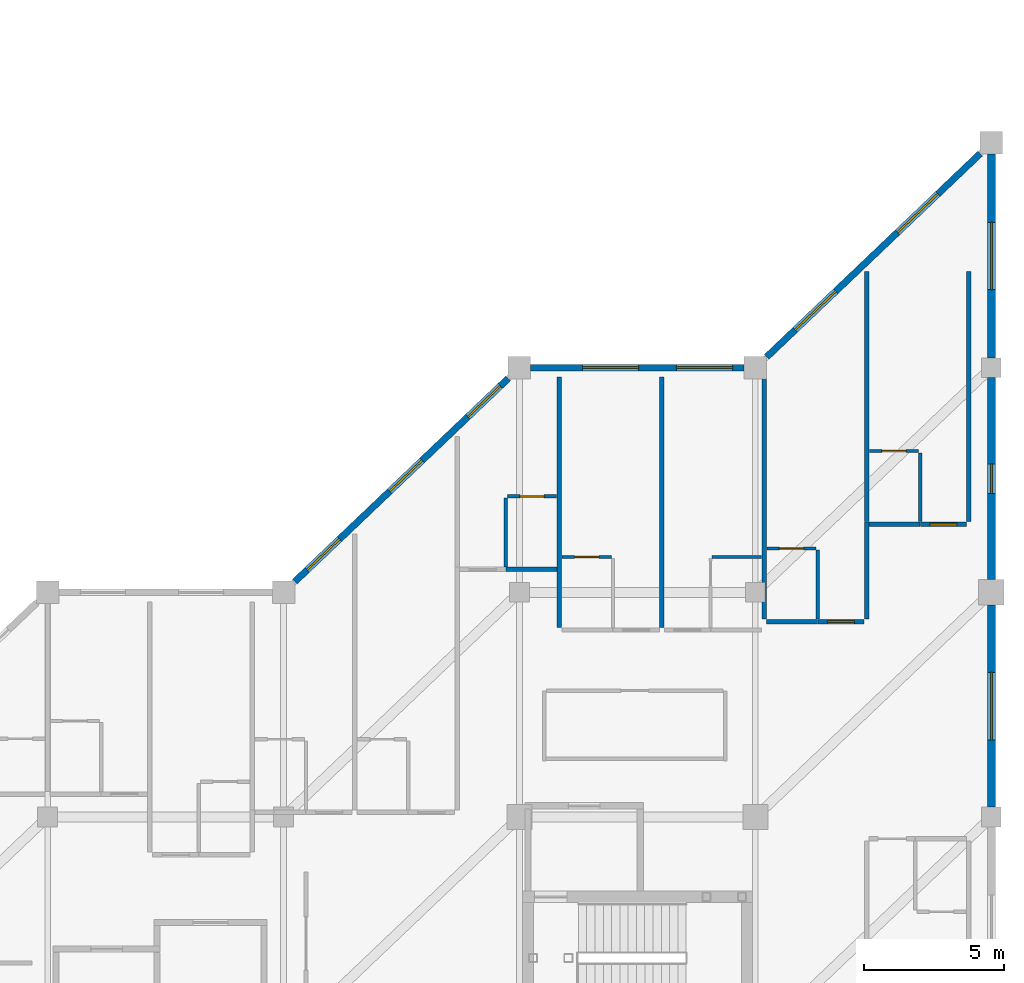
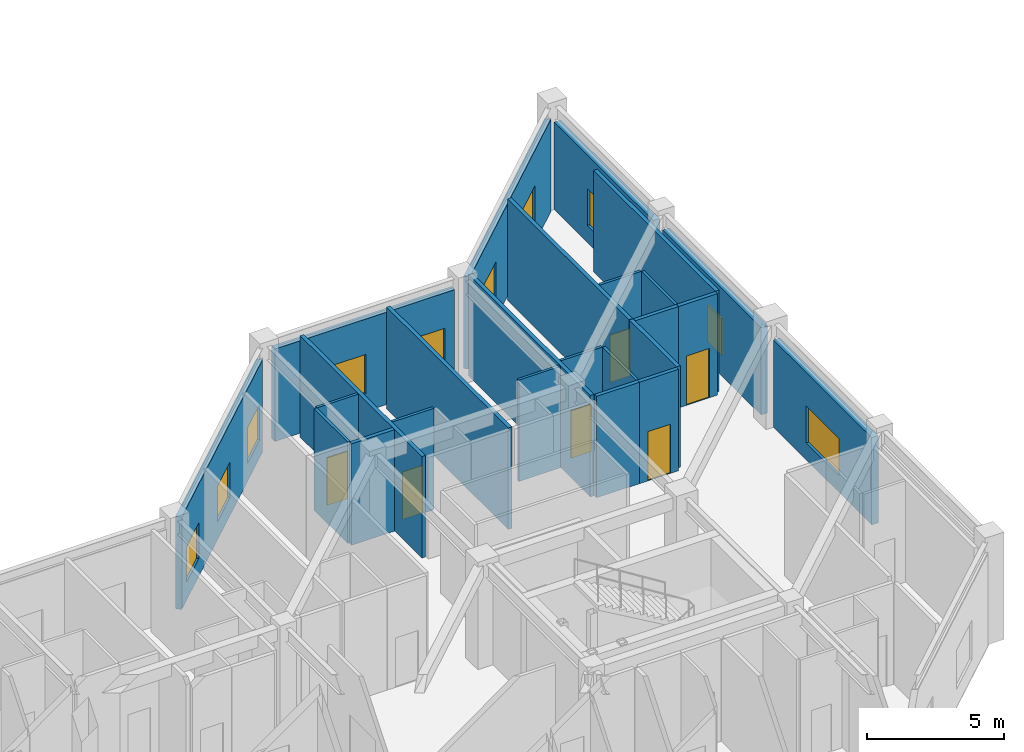
# One storey, part 65 of 76: 25 walls, 10 windows, 6 doors, 16 openings.
"""IFC4 building model written with IfcOpenShell, lengths in metres."""

import ifcopenshell
import ifcopenshell.guid

model = None  # the IFC model being written
_history = None  # IfcOwnerHistory: only IFC2X3 demands one
_inside = {}  # id of a spatial element -> (the spatial element, [elements in it])
_under = {}  # id of a project, library or spatial element -> (it, [spatial elements below it])
_declared = {}  # id of a project -> (the project, [libraries it declares])
_typed = {}  # id of a type object -> (the type object, [elements of that type])
_made_of = {}  # id of a material, layer set ... -> (it, [elements and type objects made of it])


def new_model(schema):
    """Start an empty IFC model of exactly this schema.

    Asked for "IFC4X3", IfcOpenShell would pick the latest addendum, in which some entities
    have other attributes; the version numbers below select the first issue.
    IFC2X3 requires an IfcOwnerHistory on every rooted entity: one is made here for all.
    """
    global model, _history
    if schema == "IFC4X3":
        model = ifcopenshell.file(schema_version=(4, 3, 0, 0))
    else:
        model = ifcopenshell.file(schema=schema)
    _inside.clear()
    _under.clear()
    _declared.clear()
    _typed.clear()
    _made_of.clear()
    _history = None
    if model.schema == "IFC2X3":
        org = make("IfcOrganization", Name="unknown")
        user = make(
            "IfcPersonAndOrganization",
            ThePerson=make("IfcPerson", FamilyName="unknown"),
            TheOrganization=org,
        )
        app = make(
            "IfcApplication",
            ApplicationDeveloper=org,
            Version="unknown",
            ApplicationFullName="unknown",
            ApplicationIdentifier="unknown",
        )
        _history = make(
            "IfcOwnerHistory",
            OwningUser=user,
            OwningApplication=app,
            ChangeAction="ADDED",
            CreationDate=0,
        )
    return model


def make(cls, **values):
    """One entity of the class cls with the attributes given. An attribute that is None is left unset."""
    return model.create_entity(
        cls, **{name: value for name, value in values.items() if value is not None}
    )


def rooted(cls, **values):
    """An entity with a GlobalId (a new one), such as an element, a storey or a relation."""
    return make(cls, GlobalId=ifcopenshell.guid.new(), OwnerHistory=_history, **values)


def si_unit(unit_type, name, prefix=None):
    """IfcSIUnit, for example si_unit("LENGTHUNIT", "METRE", prefix="MILLI")."""
    return make("IfcSIUnit", UnitType=unit_type, Prefix=prefix, Name=name)


def assignment(units):
    """IfcUnitAssignment: the units of a project."""
    return None if units is None else make("IfcUnitAssignment", Units=units)


def point(xyz):
    """IfcCartesianPoint."""
    return None if xyz is None else make("IfcCartesianPoint", Coordinates=xyz)


def direction(xyz):
    """IfcDirection."""
    return None if xyz is None else make("IfcDirection", DirectionRatios=xyz)


def frame(location, z_axis=None, x_axis=None):
    """IfcAxis2Placement3D, a coordinate frame: its origin and axes. An axis left out is left unset."""
    return make(
        "IfcAxis2Placement3D",
        Location=point(location),
        Axis=direction(z_axis),
        RefDirection=direction(x_axis),
    )


def frame_2d(location, x_axis=None):
    """IfcAxis2Placement2D, a coordinate frame in the plane: its origin and x axis."""
    return make(
        "IfcAxis2Placement2D", Location=point(location), RefDirection=direction(x_axis)
    )


def origin():
    """The frame at (0, 0, 0) with its axes left unset."""
    return frame((0.0, 0.0, 0.0))


def place(relative_to, where):
    """IfcLocalPlacement: puts the frame where relative to a parent placement (None: the world)."""
    return make(
        "IfcLocalPlacement", PlacementRelTo=relative_to, RelativePlacement=where
    )


def context(
    kind, dimensions, precision=None, world=None, true_north=None, identifier=None
):
    """IfcGeometricRepresentationContext, for example the 3D "Model" context."""
    return make(
        "IfcGeometricRepresentationContext",
        ContextIdentifier=identifier,
        ContextType=kind,
        CoordinateSpaceDimension=dimensions,
        Precision=precision,
        WorldCoordinateSystem=world,
        TrueNorth=true_north,
    )


def subcontext(parent, identifier, kind, view, scale=None):
    """IfcGeometricRepresentationSubContext, for example "Body" below "Model"."""
    return make(
        "IfcGeometricRepresentationSubContext",
        ContextIdentifier=identifier,
        ContextType=kind,
        ParentContext=parent,
        TargetScale=scale,
        TargetView=view,
    )


def project(units=None, contexts=None):
    """IfcProject with its units and contexts."""
    return rooted(
        "IfcProject",
        Name="project",
        RepresentationContexts=contexts,
        UnitsInContext=assignment(units),
    )


def spatial(cls, under=None, at=None, **own):
    """A site, building, storey or space (cls), placed at a placement, below another one or the project."""
    s = rooted(cls, ObjectPlacement=at, **own)
    if under is not None:
        _under.setdefault(under.id(), (under, []))[1].append(s)
    return s


def profile(cls, at=None, kind="AREA", **sizes):
    """A parametric profile (cls). Its sizes go by their IFC names, for example OverallWidth=200.0."""
    return make(cls, ProfileType=kind, Position=at, **sizes)


def rectangle(**sizes):
    """IfcRectangleProfileDef."""
    return profile("IfcRectangleProfileDef", **sizes)


def extrude(swept, where, along, depth):
    """IfcExtrudedAreaSolid: the profile swept, set in the frame where, extruded along a direction by depth."""
    return make(
        "IfcExtrudedAreaSolid",
        SweptArea=swept,
        Position=where,
        ExtrudedDirection=direction(along),
        Depth=depth,
    )


def shape(context_of_items, identifier, shape_type, items):
    """IfcShapeRepresentation: the items that make up one representation, for example the "Body"."""
    return make(
        "IfcShapeRepresentation",
        ContextOfItems=context_of_items,
        RepresentationIdentifier=identifier,
        RepresentationType=shape_type,
        Items=items,
    )


def material(Name=None, Category=None):
    """IfcMaterial."""
    return make("IfcMaterial", Name=Name, Category=Category)


def layer(
    of_material, thickness, ventilated=None, Name=None, Category=None, Priority=None
):
    """IfcMaterialLayer: one layer of a wall or slab, of a material (None: an air gap)."""
    return make(
        "IfcMaterialLayer",
        Material=of_material,
        LayerThickness=thickness,
        IsVentilated=ventilated,
        Name=Name,
        Category=Category,
        Priority=Priority,
    )


def layer_set(layers, Name=None):
    """IfcMaterialLayerSet."""
    return make("IfcMaterialLayerSet", MaterialLayers=layers, LayerSetName=Name)


def made_of(thing, what):
    """Note that an element or type object is made of a material, layer set ...; save() writes the relation."""
    if what is not None:
        _made_of.setdefault(what.id(), (what, []))[1].append(thing)
    return thing


def type_object(cls, material=None, **own):
    """A type object (cls), such as IfcWallType, which elements share."""
    return made_of(rooted(cls, **own), material)


def element(
    cls,
    number,
    at=None,
    inside=None,
    cuts=None,
    type_object=None,
    material=None,
    context=None,
    identifier="Body",
    shape_type=None,
    held_by="IfcProductDefinitionShape",
    body=None,
    shapes=None,
    **own,
):
    """One element of the class cls, such as IfcWall. Its Tag is "e" and its number.

    at: its placement. inside: the storey or other place that contains it. cuts: it is an
    opening in that element (IfcRelVoidsElement). A single representation is given by context,
    identifier, shape_type and body (its items); several are given by shapes. held_by: the class
    of the entity that holds the representations. save() writes the other relations.
    """
    e = rooted(cls, Tag="e%d" % number, ObjectPlacement=at, **own)
    if body is not None:
        shapes = [shape(context, identifier, shape_type, body)]
    if shapes is not None:
        e.Representation = make(held_by, Representations=shapes)
    if inside is not None:
        _inside.setdefault(inside.id(), (inside, []))[1].append(e)
    if cuts is not None:
        rooted(
            "IfcRelVoidsElement", RelatingBuildingElement=cuts, RelatedOpeningElement=e
        )
    if type_object is not None:
        _typed.setdefault(type_object.id(), (type_object, []))[1].append(e)
    return made_of(e, material)


def fill(opening, filler):
    """IfcRelFillsElement: the door or window that sits in an opening."""
    return rooted(
        "IfcRelFillsElement",
        RelatingOpeningElement=opening,
        RelatedBuildingElement=filler,
    )


def aggregate(whole, parts):
    """IfcRelAggregates: a whole, such as a stair, and the parts it consists of."""
    return rooted("IfcRelAggregates", RelatingObject=whole, RelatedObjects=parts)


def save(model, path):
    """Write the relations noted so far, then the file.

    IfcRelAggregates (storeys below a building ...), IfcRelContainedInSpatialStructure (elements
    in a storey), IfcRelDefinesByType, IfcRelAssociatesMaterial and IfcRelDeclares: one each for
    every whole, place, type object, material and project.
    """
    for whole, parts in _under.values():
        aggregate(whole, parts)
    for where, things in _inside.values():
        rooted(
            "IfcRelContainedInSpatialStructure",
            RelatedElements=things,
            RelatingStructure=where,
        )
    for kind, things in _typed.values():
        rooted("IfcRelDefinesByType", RelatedObjects=things, RelatingType=kind)
    for what, things in _made_of.values():
        rooted("IfcRelAssociatesMaterial", RelatedObjects=things, RelatingMaterial=what)
    for by, libraries in _declared.values():
        rooted("IfcRelDeclares", RelatingContext=by, RelatedDefinitions=libraries)
    model.write(path)


model = new_model("IFC4")

# Units and contexts
model_context = context("Model", 3, precision=1e-05, world=origin(), true_north=direction((0.0, 1.0)))
body_context = subcontext(model_context, "Body", "Model", "MODEL_VIEW")
ifc_project = project(units=[si_unit("LENGTHUNIT", "METRE"), si_unit("AREAUNIT", "SQUARE_METRE"), si_unit("VOLUMEUNIT", "CUBIC_METRE"), si_unit("PLANEANGLEUNIT", "RADIAN"), si_unit("MASSUNIT", "GRAM", prefix="KILO")], contexts=[model_context])

# Site, building, storey
site_placement = place(None, origin())
site = spatial("IfcSite", under=ifc_project, at=site_placement, CompositionType="ELEMENT")
building_placement = place(site_placement, origin())
building = spatial("IfcBuilding", under=site, at=building_placement, Name="Naruveol Harbour Congress Hotel", CompositionType="ELEMENT")
storey_placement = place(building_placement, frame((0.0, 0.0, 11.39990234375)))
storey = spatial("IfcBuildingStorey", under=building, at=storey_placement, Name="L02", CompositionType="ELEMENT", Elevation=11.39990234375)

# Wall, opening, window
ifc_material_1 = material(Name="Precast concrete C40/50", Category="concrete")
ifc_layer_1 = layer(ifc_material_1, 0.280029296875)
ifc_layer_set_1 = layer_set([ifc_layer_1], Name="Precast concrete C40/50")
wall_type_1 = type_object("IfcWallType", Name="ARCHITECTURAL PRECAST FACADE WALL 280", PredefinedType="SOLIDWALL", material=ifc_layer_set_1)
wall_1_placement = place(storey_placement, frame((184.800048828125, 55.60009765625, 0.0), z_axis=(0.0, 0.0, 1.0), x_axis=(0.0, -1.0, 0.0)))
wall_1 = element("IfcWall", 1, at=wall_1_placement, inside=storey, type_object=wall_type_1, Name="Hotel east gable wall L02 EW-280", PredefinedType="SOLIDWALL", context=body_context, shape_type="SweptSolid", body=[
    extrude(rectangle(XDim=7.25, YDim=0.280029296875, at=frame_2d((3.625, 0.0))), origin(), (0.0, 0.0, 1.0), 3.900146484375),
])
opening_1_placement = place(wall_1_placement, frame((2.425048828125, 0.0, 0.75)))
opening_1 = element("IfcOpeningElement", 2, at=opening_1_placement, cuts=wall_1, Name="Opening W-07", PredefinedType="OPENING", context=body_context, shape_type="SweptSolid", body=[
    extrude(rectangle(XDim=2.39990234375, YDim=1.64990234375, at=frame_2d((1.199951171875, 0.824951171875))), frame((0.0, 0.14990234375, 0.0), z_axis=(0.0, -1.0, 0.0), x_axis=(1.0, 0.0, 0.0)), (0.0, 0.0, 1.0), 0.300048828125),
])
ifc_material_2 = material(Name="Low-E Triple Glazing in Thermal Aluminium", Category="aluminium")
window_type_1 = type_object("IfcWindowType", Name="CORNER SUITE WINDOW 2400X1650", PartitioningType="DOUBLE_PANEL_VERTICAL", PredefinedType="WINDOW", material=ifc_material_2)
window_1_placement = place(opening_1_placement, origin())
window_1 = element("IfcWindow", 3, at=window_1_placement, inside=storey, type_object=window_type_1, Name="Window W-07 #220", OverallHeight=1.64990234375, OverallWidth=2.39990234375, PartitioningType="DOUBLE_PANEL_VERTICAL", PredefinedType="WINDOW", context=body_context, shape_type="SweptSolid", body=[
    extrude(rectangle(XDim=2.39990234375, YDim=1.64990234375, at=frame_2d((1.199951171875, 0.824951171875))), frame((0.0, 0.030029296875, 0.0), z_axis=(0.0, -1.0, 0.0), x_axis=(1.0, 0.0, 0.0)), (0.0, 0.0, 1.0), 0.06005859375),
])
fill(opening_1, window_1)

wall_2_placement = place(storey_placement, frame((184.800048828125, 47.64990234375, 0.0), z_axis=(0.0, 0.0, 1.0), x_axis=(0.0, -1.0, 0.0)))
wall_2 = element("IfcWall", 4, at=wall_2_placement, inside=storey, type_object=wall_type_1, Name="Hotel east gable wall L02 EW-280", PredefinedType="SOLIDWALL", context=body_context, shape_type="SweptSolid", body=[
    extrude(rectangle(XDim=7.199951171875, YDim=0.280029296875, at=frame_2d((3.60009765625, 0.0))), origin(), (0.0, 0.0, 1.0), 3.900146484375),
])
opening_2_placement = place(wall_2_placement, frame((3.074951171875, 0.0, 0.75)))
opening_2 = element("IfcOpeningElement", 5, at=opening_2_placement, cuts=wall_2, Name="Opening W-26", PredefinedType="OPENING", context=body_context, shape_type="SweptSolid", body=[
    extrude(rectangle(XDim=1.050048828125, YDim=1.64990234375, at=frame_2d((0.52490234375, 0.824951171875))), frame((0.0, 0.14990234375, 0.0), z_axis=(0.0, -1.0, 0.0), x_axis=(1.0, 0.0, 0.0)), (0.0, 0.0, 1.0), 0.300048828125),
])
ifc_material_3 = material(Name="Low-E Triple Glazing in Thermal Aluminium", Category="aluminium")
window_type_2 = type_object("IfcWindowType", Name="CORRIDOR END VIEW WINDOW 1050X1650", PartitioningType="SINGLE_PANEL", PredefinedType="WINDOW", material=ifc_material_3)
window_2_placement = place(opening_2_placement, origin())
window_2 = element("IfcWindow", 6, at=window_2_placement, inside=storey, type_object=window_type_2, Name="Window W-26 #221", OverallHeight=1.64990234375, OverallWidth=1.050048828125, PartitioningType="SINGLE_PANEL", PredefinedType="WINDOW", context=body_context, shape_type="SweptSolid", body=[
    extrude(rectangle(XDim=1.050048828125, YDim=1.64990234375, at=frame_2d((0.52490234375, 0.824951171875))), frame((0.0, 0.030029296875, 0.0), z_axis=(0.0, -1.0, 0.0), x_axis=(1.0, 0.0, 0.0)), (0.0, 0.0, 1.0), 0.06005859375),
])
fill(opening_2, window_2)

wall_3_placement = place(storey_placement, frame((184.800048828125, 39.550048828125, 0.0), z_axis=(0.0, 0.0, 1.0), x_axis=(0.0, -1.0, 0.0)))
wall_3 = element("IfcWall", 7, at=wall_3_placement, inside=storey, type_object=wall_type_1, Name="Hotel east gable wall L02 EW-280", PredefinedType="SOLIDWALL", context=body_context, shape_type="SweptSolid", body=[
    extrude(rectangle(XDim=7.199951171875, YDim=0.280029296875, at=frame_2d((3.60009765625, 0.0))), origin(), (0.0, 0.0, 1.0), 3.900146484375),
])
opening_3_placement = place(wall_3_placement, frame((2.39990234375, 0.0, 0.75)))
opening_3 = element("IfcOpeningElement", 8, at=opening_3_placement, cuts=wall_3, Name="Opening W-07", PredefinedType="OPENING", context=body_context, shape_type="SweptSolid", body=[
    extrude(rectangle(XDim=2.39990234375, YDim=1.64990234375, at=frame_2d((1.199951171875, 0.824951171875))), frame((0.0, 0.14990234375, 0.0), z_axis=(0.0, -1.0, 0.0), x_axis=(1.0, 0.0, 0.0)), (0.0, 0.0, 1.0), 0.300048828125),
])
window_3_placement = place(opening_3_placement, origin())
window_3 = element("IfcWindow", 9, at=window_3_placement, inside=storey, type_object=window_type_1, Name="Window W-07 #222", OverallHeight=1.64990234375, OverallWidth=2.39990234375, PartitioningType="DOUBLE_PANEL_VERTICAL", PredefinedType="WINDOW", context=body_context, shape_type="SweptSolid", body=[
    extrude(rectangle(XDim=2.39990234375, YDim=1.64990234375, at=frame_2d((1.199951171875, 0.824951171875))), frame((0.0, 0.030029296875, 0.0), z_axis=(0.0, -1.0, 0.0), x_axis=(1.0, 0.0, 0.0)), (0.0, 0.0, 1.0), 0.06005859375),
])
fill(opening_3, window_3)

# Wall
ifc_material_4 = material(Name="Moisture-Resistant Gypsum Partition", Category="gypsum")
ifc_layer_2 = layer(ifc_material_4, 0.114990234375)
ifc_layer_set_2 = layer_set([ifc_layer_2], Name="Moisture-Resistant Gypsum Partition")
wall_type_2 = type_object("IfcWallType", Name="BATHROOM MOISTURE PARTITION WALL 115", PredefinedType="PARTITIONING", material=ifc_layer_set_2)
wall_4_placement = place(storey_placement, frame((167.510009765625, 40.909912109375, 0.0), z_axis=(0.0, 0.0, 1.0), x_axis=(0.0, 1.0, 0.0)))
element("IfcWall", 10, at=wall_4_placement, inside=storey, type_object=wall_type_2, Name="Bathroom west wall 0332 PW-115", PredefinedType="PARTITIONING", context=body_context, shape_type="SweptSolid", body=[
    extrude(rectangle(XDim=2.4501953125, YDim=0.114990234375, at=frame_2d((1.22509765625, 0.0))), origin(), (0.0, 0.0, 1.0), 4.53515625),
])

# Wall, opening, door
wall_5_placement = place(storey_placement, frame((167.570068359375, 43.419921875, 0.0), z_axis=(0.0, 0.0, 1.0), x_axis=(1.0, 0.0, 0.0)))
wall_5 = element("IfcWall", 11, at=wall_5_placement, inside=storey, type_object=wall_type_2, Name="Bathroom north wall 0332 PW-115", PredefinedType="PARTITIONING", context=body_context, shape_type="SweptSolid", body=[
    extrude(rectangle(XDim=1.75, YDim=0.114990234375, at=frame_2d((0.875, 0.0))), origin(), (0.0, 0.0, 1.0), 4.53515625),
])
opening_4_placement = place(wall_5_placement, frame((0.445068359375, 0.0, 0.0)))
opening_4 = element("IfcOpeningElement", 12, at=opening_4_placement, cuts=wall_5, Name="Opening BD-RM0332", PredefinedType="OPENING", context=body_context, shape_type="SweptSolid", body=[
    extrude(rectangle(XDim=0.860107421875, YDim=2.1201171875, at=frame_2d((0.43017578125, 1.06005859375))), frame((0.0, 0.0673828125, 0.0), z_axis=(0.0, -1.0, 0.0), x_axis=(1.0, 0.0, 0.0)), (0.0, 0.0, 1.0), 0.135009765625),
])
ifc_material_5 = material(Name="Timber & Steel Acoustic Leaf", Category="steel")
door_type_1 = type_object("IfcDoorType", Name="GUEST BATHROOM DOOR 860X2120", OperationType="NOTDEFINED", PredefinedType="DOOR", material=ifc_material_5)
door_1_placement = place(opening_4_placement, origin())
door_1 = element("IfcDoor", 13, at=door_1_placement, inside=storey, type_object=door_type_1, Name="Bathroom Door 0332", OperationType="SINGLE_SWING_RIGHT", OverallHeight=2.1201171875, OverallWidth=0.860107421875, PredefinedType="DOOR", context=body_context, shape_type="SweptSolid", body=[
    extrude(rectangle(XDim=0.860107421875, YDim=2.1201171875, at=frame_2d((0.43017578125, 1.06005859375))), frame((0.0, 0.02490234375, 0.0), z_axis=(0.0, -1.0, 0.0), x_axis=(1.0, 0.0, 0.0)), (0.0, 0.0, 1.0), 0.050048828125),
])
fill(opening_4, door_1)

wall_6_placement = place(storey_placement, frame((169.52001953125, 41.260009765625, 0.0), z_axis=(0.0, 0.0, 1.0), x_axis=(1.0, 0.0, 0.0)))
wall_6 = element("IfcWall", 14, at=wall_6_placement, inside=storey, type_object=wall_type_2, Name="Bathroom north wall 0333 PW-115", PredefinedType="PARTITIONING", context=body_context, shape_type="SweptSolid", body=[
    extrude(rectangle(XDim=1.75, YDim=0.114990234375, at=frame_2d((0.875, 0.0))), origin(), (0.0, 0.0, 1.0), 4.53515625),
])
opening_5_placement = place(wall_6_placement, frame((0.445068359375, 0.0, 0.0)))
opening_5 = element("IfcOpeningElement", 15, at=opening_5_placement, cuts=wall_6, Name="Opening BD-RM0333", PredefinedType="OPENING", context=body_context, shape_type="SweptSolid", body=[
    extrude(rectangle(XDim=0.860107421875, YDim=2.1201171875, at=frame_2d((0.43017578125, 1.06005859375))), frame((0.0, 0.0673828125, 0.0), z_axis=(0.0, -1.0, 0.0), x_axis=(1.0, 0.0, 0.0)), (0.0, 0.0, 1.0), 0.135009765625),
])
door_2_placement = place(opening_5_placement, origin())
door_2 = element("IfcDoor", 16, at=door_2_placement, inside=storey, type_object=door_type_1, Name="Bathroom Door 0333", OperationType="SINGLE_SWING_RIGHT", OverallHeight=2.1201171875, OverallWidth=0.860107421875, PredefinedType="DOOR", context=body_context, shape_type="SweptSolid", body=[
    extrude(rectangle(XDim=0.860107421875, YDim=2.1201171875, at=frame_2d((0.43017578125, 1.06005859375))), frame((0.0, 0.02490234375, 0.0), z_axis=(0.0, -1.0, 0.0), x_axis=(1.0, 0.0, 0.0)), (0.0, 0.0, 1.0), 0.050048828125),
])
fill(opening_5, door_2)

# Walls
wall_7_placement = place(storey_placement, frame((174.860107421875, 41.260009765625, 0.0), z_axis=(0.0, 0.0, 1.0), x_axis=(1.0, 0.0, 0.0)))
element("IfcWall", 17, at=wall_7_placement, inside=storey, type_object=wall_type_2, Name="Bathroom north wall 0334 PW-115", PredefinedType="PARTITIONING", context=body_context, shape_type="SweptSolid", body=[
    extrude(rectangle(XDim=1.75, YDim=0.114990234375, at=frame_2d((0.875, 0.0))), origin(), (0.0, 0.0, 1.0), 4.53515625),
])
wall_8_placement = place(storey_placement, frame((178.6201171875, 39.050048828125, 0.0), z_axis=(0.0, 0.0, 1.0), x_axis=(0.0, 1.0, 0.0)))
element("IfcWall", 18, at=wall_8_placement, inside=storey, type_object=wall_type_2, Name="Bathroom east wall 0335 PW-115", PredefinedType="PARTITIONING", context=body_context, shape_type="SweptSolid", body=[
    extrude(rectangle(XDim=2.449951171875, YDim=0.114990234375, at=frame_2d((1.22509765625, 0.0))), origin(), (0.0, 0.0, 1.0), 4.53515625),
])

# Wall, opening, door
wall_9_placement = place(storey_placement, frame((176.81005859375, 41.56005859375, 0.0), z_axis=(0.0, 0.0, 1.0), x_axis=(1.0, 0.0, 0.0)))
wall_9 = element("IfcWall", 19, at=wall_9_placement, inside=storey, type_object=wall_type_2, Name="Bathroom north wall 0335 PW-115", PredefinedType="PARTITIONING", context=body_context, shape_type="SweptSolid", body=[
    extrude(rectangle(XDim=1.75, YDim=0.114990234375, at=frame_2d((0.875, 0.0))), origin(), (0.0, 0.0, 1.0), 4.53515625),
])
opening_6_placement = place(wall_9_placement, frame((0.445068359375, 0.0, 0.0)))
opening_6 = element("IfcOpeningElement", 20, at=opening_6_placement, cuts=wall_9, Name="Opening BD-RM0335", PredefinedType="OPENING", context=body_context, shape_type="SweptSolid", body=[
    extrude(rectangle(XDim=0.860107421875, YDim=2.1201171875, at=frame_2d((0.43017578125, 1.06005859375))), frame((0.0, 0.0673828125, 0.0), z_axis=(0.0, -1.0, 0.0), x_axis=(1.0, 0.0, 0.0)), (0.0, 0.0, 1.0), 0.135009765625),
])
door_3_placement = place(opening_6_placement, origin())
door_3 = element("IfcDoor", 21, at=door_3_placement, inside=storey, type_object=door_type_1, Name="Bathroom Door 0335", OperationType="SINGLE_SWING_RIGHT", OverallHeight=2.1201171875, OverallWidth=0.860107421875, PredefinedType="DOOR", context=body_context, shape_type="SweptSolid", body=[
    extrude(rectangle(XDim=0.860107421875, YDim=2.1201171875, at=frame_2d((0.43017578125, 1.06005859375))), frame((0.0, 0.02490234375, 0.0), z_axis=(0.0, -1.0, 0.0), x_axis=(1.0, 0.0, 0.0)), (0.0, 0.0, 1.0), 0.050048828125),
])
fill(opening_6, door_3)

# Wall
wall_10_placement = place(storey_placement, frame((182.27001953125, 42.52001953125, 0.0), z_axis=(0.0, 0.0, 1.0), x_axis=(0.0, 1.0, 0.0)))
element("IfcWall", 22, at=wall_10_placement, inside=storey, type_object=wall_type_2, Name="Bathroom east wall 0336 PW-115", PredefinedType="PARTITIONING", context=body_context, shape_type="SweptSolid", body=[
    extrude(rectangle(XDim=2.449951171875, YDim=0.114990234375, at=frame_2d((1.22509765625, 0.0))), origin(), (0.0, 0.0, 1.0), 4.53515625),
])

# Wall, opening, door
wall_11_placement = place(storey_placement, frame((180.4599609375, 45.030029296875, 0.0), z_axis=(0.0, 0.0, 1.0), x_axis=(1.0, 0.0, 0.0)))
wall_11 = element("IfcWall", 23, at=wall_11_placement, inside=storey, type_object=wall_type_2, Name="Bathroom north wall 0336 PW-115", PredefinedType="PARTITIONING", context=body_context, shape_type="SweptSolid", body=[
    extrude(rectangle(XDim=1.75, YDim=0.114990234375, at=frame_2d((0.875, 0.0))), origin(), (0.0, 0.0, 1.0), 4.53515625),
])
opening_7_placement = place(wall_11_placement, frame((0.445068359375, 0.0, 0.0)))
opening_7 = element("IfcOpeningElement", 24, at=opening_7_placement, cuts=wall_11, Name="Opening BD-RM0336", PredefinedType="OPENING", context=body_context, shape_type="SweptSolid", body=[
    extrude(rectangle(XDim=0.860107421875, YDim=2.1201171875, at=frame_2d((0.43017578125, 1.06005859375))), frame((0.0, 0.0673828125, 0.0), z_axis=(0.0, -1.0, 0.0), x_axis=(1.0, 0.0, 0.0)), (0.0, 0.0, 1.0), 0.135009765625),
])
door_4_placement = place(opening_7_placement, origin())
door_4 = element("IfcDoor", 25, at=door_4_placement, inside=storey, type_object=door_type_1, Name="Bathroom Door 0336", OperationType="SINGLE_SWING_RIGHT", OverallHeight=2.1201171875, OverallWidth=0.860107421875, PredefinedType="DOOR", context=body_context, shape_type="SweptSolid", body=[
    extrude(rectangle(XDim=0.860107421875, YDim=2.1201171875, at=frame_2d((0.43017578125, 1.06005859375))), frame((0.0, 0.02490234375, 0.0), z_axis=(0.0, -1.0, 0.0), x_axis=(1.0, 0.0, 0.0)), (0.0, 0.0, 1.0), 0.050048828125),
])
fill(opening_7, door_4)

# Walls
ifc_material_6 = material(Name="Autoclaved Aerated Concrete Block", Category="concrete")
ifc_layer_3 = layer(ifc_material_6, 0.159912109375)
ifc_layer_set_3 = layer_set([ifc_layer_3], Name="Autoclaved Aerated Concrete Block")
wall_type_3 = type_object("IfcWallType", Name="HOTEL PARTY AND CORRIDOR WALL 160 EI60", PredefinedType="PARTITIONING", material=ifc_layer_set_3)
wall_12_placement = place(storey_placement, frame((167.52001953125, 40.820068359375, 0.0), z_axis=(0.0, 0.0, 1.0), x_axis=(1.0, 0.0, 0.0)))
element("IfcWall", 26, at=wall_12_placement, inside=storey, type_object=wall_type_3, Name="Corridor wall 0332B PW-160", PredefinedType="PARTITIONING", context=body_context, shape_type="SweptSolid", body=[
    extrude(rectangle(XDim=1.81005859375, YDim=0.159912109375, at=frame_2d((0.905029296875, 0.0))), origin(), (0.0, 0.0, 1.0), 4.53515625),
])
for number, where, z_axis, x_axis, name in (
    (27, (169.419921875, 38.75, 0.0), (0.0, 0.0, 1.0), (0.0, 1.0, 0.0), "Hotel party wall 0333 PW-160"),
    (28, (173.070068359375, 38.75, 0.0), (0.0, 0.0, 1.0), (0.0, 1.0, 0.0), "Hotel party wall 0334 PW-160"),
):
    element("IfcWall", number, at=place(storey_placement, frame(where, z_axis=z_axis, x_axis=x_axis)), inside=storey, type_object=wall_type_3, Name=name, PredefinedType="PARTITIONING", context=body_context, shape_type="SweptSolid", body=[
        extrude(rectangle(XDim=8.909912109375, YDim=0.159912109375, at=frame_2d((4.455078125, 0.0))), origin(), (0.0, 0.0, 1.0), 4.53515625),
    ])
wall_13_placement = place(storey_placement, frame((176.800048828125, 38.9599609375, 0.0), z_axis=(0.0, 0.0, 1.0), x_axis=(1.0, 0.0, 0.0)))
element("IfcWall", 29, at=wall_13_placement, inside=storey, type_object=wall_type_3, Name="Corridor wall 0335B PW-160", PredefinedType="PARTITIONING", context=body_context, shape_type="SweptSolid", body=[
    extrude(rectangle(XDim=1.81005859375, YDim=0.159912109375, at=frame_2d((0.905029296875, 0.0))), origin(), (0.0, 0.0, 1.0), 4.53515625),
])

# Wall, opening, door
wall_14_placement = place(storey_placement, frame((178.6201171875, 38.9599609375, 0.0), z_axis=(0.0, 0.0, 1.0), x_axis=(1.0, 0.0, 0.0)))
wall_14 = element("IfcWall", 30, at=wall_14_placement, inside=storey, type_object=wall_type_3, Name="Corridor entry wall 0335 PW-160", PredefinedType="PARTITIONING", context=body_context, shape_type="SweptSolid", body=[
    extrude(rectangle(XDim=1.64990234375, YDim=0.159912109375, at=frame_2d((0.824951171875, 0.0))), origin(), (0.0, 0.0, 1.0), 4.53515625),
])
opening_8_placement = place(wall_14_placement, frame((0.344970703125, 0.0, 0.0)))
opening_8 = element("IfcOpeningElement", 31, at=opening_8_placement, cuts=wall_14, Name="Opening FD-RM0335", PredefinedType="OPENING", context=body_context, shape_type="SweptSolid", body=[
    extrude(rectangle(XDim=0.9599609375, YDim=2.199951171875, at=frame_2d((0.47998046875, 1.10009765625))), frame((0.0, 0.08984375, 0.0), z_axis=(0.0, -1.0, 0.0), x_axis=(1.0, 0.0, 0.0)), (0.0, 0.0, 1.0), 0.179931640625),
])
ifc_material_7 = material(Name="Timber & Steel Acoustic Leaf", Category="steel")
door_type_2 = type_object("IfcDoorType", Name="GUEST ROOM ENTRANCE FIRE DOOR 960X2200", OperationType="NOTDEFINED", PredefinedType="DOOR", material=ifc_material_7)
door_5_placement = place(opening_8_placement, origin())
door_5 = element("IfcDoor", 32, at=door_5_placement, inside=storey, type_object=door_type_2, Name="Hotel Room Door 0335", OperationType="SINGLE_SWING_LEFT", OverallHeight=2.199951171875, OverallWidth=0.9599609375, PredefinedType="DOOR", context=body_context, shape_type="SweptSolid", body=[
    extrude(rectangle(XDim=0.9599609375, YDim=2.199951171875, at=frame_2d((0.47998046875, 1.10009765625))), frame((0.0, 0.02490234375, 0.0), z_axis=(0.0, -1.0, 0.0), x_axis=(1.0, 0.0, 0.0)), (0.0, 0.0, 1.0), 0.050048828125),
])
fill(opening_8, door_5)

# Walls
wall_15_placement = place(storey_placement, frame((176.7099609375, 39.050048828125, 0.0), z_axis=(0.0, 0.0, 1.0), x_axis=(0.0, 1.0, 0.0)))
element("IfcWall", 33, at=wall_15_placement, inside=storey, type_object=wall_type_3, Name="Hotel party wall 0335 PW-160", PredefinedType="PARTITIONING", context=body_context, shape_type="SweptSolid", body=[
    extrude(rectangle(XDim=8.909912109375, YDim=0.159912109375, at=frame_2d((4.455078125, 0.0))), origin(), (0.0, 0.0, 1.0), 4.53515625),
])
wall_16_placement = place(storey_placement, frame((180.360107421875, 39.050048828125, 0.0), z_axis=(0.0, 0.0, 1.0), x_axis=(0.0, 1.0, 0.0)))
element("IfcWall", 34, at=wall_16_placement, inside=storey, type_object=wall_type_3, Name="Hotel end party wall 0335 PW-160", PredefinedType="PARTITIONING", context=body_context, shape_type="SweptSolid", body=[
    extrude(rectangle(XDim=3.4599609375, YDim=0.159912109375, at=frame_2d((1.72998046875, 0.0))), origin(), (0.0, 0.0, 1.0), 4.53515625),
])
wall_17_placement = place(storey_placement, frame((180.449951171875, 42.429931640625, 0.0), z_axis=(0.0, 0.0, 1.0), x_axis=(1.0, 0.0, 0.0)))
element("IfcWall", 35, at=wall_17_placement, inside=storey, type_object=wall_type_3, Name="Corridor wall 0336B PW-160", PredefinedType="PARTITIONING", context=body_context, shape_type="SweptSolid", body=[
    extrude(rectangle(XDim=1.81005859375, YDim=0.159912109375, at=frame_2d((0.905029296875, 0.0))), origin(), (0.0, 0.0, 1.0), 4.53515625),
])

# Wall, opening, door
wall_18_placement = place(storey_placement, frame((182.27001953125, 42.429931640625, 0.0), z_axis=(0.0, 0.0, 1.0), x_axis=(1.0, 0.0, 0.0)))
wall_18 = element("IfcWall", 36, at=wall_18_placement, inside=storey, type_object=wall_type_3, Name="Corridor entry wall 0336 PW-160", PredefinedType="PARTITIONING", context=body_context, shape_type="SweptSolid", body=[
    extrude(rectangle(XDim=1.639892578125, YDim=0.159912109375, at=frame_2d((0.81982421875, 0.0))), origin(), (0.0, 0.0, 1.0), 4.53515625),
])
opening_9_placement = place(wall_18_placement, frame((0.340087890625, 0.0, 0.0)))
opening_9 = element("IfcOpeningElement", 37, at=opening_9_placement, cuts=wall_18, Name="Opening FD-RM0336", PredefinedType="OPENING", context=body_context, shape_type="SweptSolid", body=[
    extrude(rectangle(XDim=0.9599609375, YDim=2.199951171875, at=frame_2d((0.47998046875, 1.10009765625))), frame((0.0, 0.08984375, 0.0), z_axis=(0.0, -1.0, 0.0), x_axis=(1.0, 0.0, 0.0)), (0.0, 0.0, 1.0), 0.179931640625),
])
door_6_placement = place(opening_9_placement, origin())
door_6 = element("IfcDoor", 38, at=door_6_placement, inside=storey, type_object=door_type_2, Name="Hotel Room Door 0336", OperationType="SINGLE_SWING_LEFT", OverallHeight=2.199951171875, OverallWidth=0.9599609375, PredefinedType="DOOR", context=body_context, shape_type="SweptSolid", body=[
    extrude(rectangle(XDim=0.9599609375, YDim=2.199951171875, at=frame_2d((0.47998046875, 1.10009765625))), frame((0.0, 0.02490234375, 0.0), z_axis=(0.0, -1.0, 0.0), x_axis=(1.0, 0.0, 0.0)), (0.0, 0.0, 1.0), 0.050048828125),
])
fill(opening_9, door_6)

# Walls
for number, where, z_axis, x_axis, name in (
    (39, (180.360107421875, 42.52001953125, 0.0), (0.0, 0.0, 1.0), (0.0, 1.0, 0.0), "Hotel party wall 0336 PW-160"),
    (40, (184.0, 42.52001953125, 0.0), (0.0, 0.0, 1.0), (0.0, 1.0, 0.0), "Hotel end party wall 0336 PW-160"),
):
    element("IfcWall", number, at=place(storey_placement, frame(where, z_axis=z_axis, x_axis=x_axis)), inside=storey, type_object=wall_type_3, Name=name, PredefinedType="PARTITIONING", context=body_context, shape_type="SweptSolid", body=[
        extrude(rectangle(XDim=8.909912109375, YDim=0.159912109375, at=frame_2d((4.455078125, 0.0))), origin(), (0.0, 0.0, 1.0), 4.53515625),
    ])

# Wall, openings, windows
ifc_material_8 = material(Name="Concrete C40/50", Category="concrete")
ifc_layer_4 = layer(ifc_material_8, 0.239990234375)
ifc_layer_set_4 = layer_set([ifc_layer_4], Name="Concrete C40/50")
wall_type_4 = type_object("IfcWallType", Name="INSULATED HOTEL SPANDREL WALL 240", PredefinedType="SOLIDWALL", material=ifc_layer_set_4)
wall_19_placement = place(storey_placement, frame((160.0, 40.381103515625, 0.0), z_axis=(0.0, 0.0, 1.0), x_axis=(0.724156739794, 0.689635422677, 0.0)))
wall_19 = element("IfcWall", 41, at=wall_19_placement, inside=storey, type_object=wall_type_4, Name="Hotel north bay wall L02 EW-240", PredefinedType="SOLIDWALL", context=body_context, shape_type="SweptSolid", body=[
    extrude(rectangle(XDim=10.4951171875, YDim=0.239990234375, at=frame_2d((5.24755859375, 0.0))), origin(), (0.0, 0.0, 1.0), 4.130126953125),
])
opening_10_placement = place(wall_19_placement, frame((0.60205078125, 0.0, 0.800048828125)))
opening_10 = element("IfcOpeningElement", 42, at=opening_10_placement, cuts=wall_19, Name="Opening W-03", PredefinedType="OPENING", context=body_context, shape_type="SweptSolid", body=[
    extrude(rectangle(XDim=1.60009765625, YDim=1.60009765625, at=frame_2d((0.800048828125, 0.800048828125))), frame((0.0, 0.1298828125, 0.0), z_axis=(0.0, -1.0, 0.0), x_axis=(1.0, 0.0, 0.0)), (0.0, 0.0, 1.0), 0.260009765625),
])
opening_11_placement = place(wall_19_placement, frame((4.662109375, 0.0, 0.800048828125)))
opening_11 = element("IfcOpeningElement", 43, at=opening_11_placement, cuts=wall_19, Name="Opening W-03", PredefinedType="OPENING", context=body_context, shape_type="SweptSolid", body=[
    extrude(rectangle(XDim=1.60009765625, YDim=1.60009765625, at=frame_2d((0.800048828125, 0.800048828125))), frame((0.0, 0.1298828125, 0.0), z_axis=(0.0, -1.0, 0.0), x_axis=(1.0, 0.0, 0.0)), (0.0, 0.0, 1.0), 0.260009765625),
])
opening_12_placement = place(wall_19_placement, frame((8.508056640625, 0.0, 0.800048828125)))
opening_12 = element("IfcOpeningElement", 44, at=opening_12_placement, cuts=wall_19, Name="Opening W-03", PredefinedType="OPENING", context=body_context, shape_type="SweptSolid", body=[
    extrude(rectangle(XDim=1.60009765625, YDim=1.60009765625, at=frame_2d((0.800048828125, 0.800048828125))), frame((0.0, 0.1298828125, 0.0), z_axis=(0.0, -1.0, 0.0), x_axis=(1.0, 0.0, 0.0)), (0.0, 0.0, 1.0), 0.260009765625),
])
ifc_material_9 = material(Name="Low-E Triple Glazing in Thermal Aluminium", Category="aluminium")
window_type_3 = type_object("IfcWindowType", Name="DELUXE GUEST WINDOW 1600X1600", PartitioningType="SINGLE_PANEL", PredefinedType="WINDOW", material=ifc_material_9)
window_4_placement = place(opening_10_placement, origin())
window_4 = element("IfcWindow", 45, at=window_4_placement, inside=storey, type_object=window_type_3, Name="Window W-03 #209", OverallHeight=1.60009765625, OverallWidth=1.60009765625, PartitioningType="SINGLE_PANEL", PredefinedType="WINDOW", context=body_context, shape_type="SweptSolid", body=[
    extrude(rectangle(XDim=1.60009765625, YDim=1.60009765625, at=frame_2d((0.800048828125, 0.800048828125))), frame((0.0, 0.030029296875, 0.0), z_axis=(0.0, -1.0, 0.0), x_axis=(1.0, 0.0, 0.0)), (0.0, 0.0, 1.0), 0.06005859375),
])
fill(opening_10, window_4)
window_5_placement = place(opening_11_placement, origin())
window_5 = element("IfcWindow", 46, at=window_5_placement, inside=storey, type_object=window_type_3, Name="Window W-03 #210", OverallHeight=1.60009765625, OverallWidth=1.60009765625, PartitioningType="SINGLE_PANEL", PredefinedType="WINDOW", context=body_context, shape_type="SweptSolid", body=[
    extrude(rectangle(XDim=1.60009765625, YDim=1.60009765625, at=frame_2d((0.800048828125, 0.800048828125))), frame((0.0, 0.030029296875, 0.0), z_axis=(0.0, -1.0, 0.0), x_axis=(1.0, 0.0, 0.0)), (0.0, 0.0, 1.0), 0.06005859375),
])
fill(opening_11, window_5)
window_6_placement = place(opening_12_placement, origin())
window_6 = element("IfcWindow", 47, at=window_6_placement, inside=storey, type_object=window_type_3, Name="Window W-03 #211", OverallHeight=1.60009765625, OverallWidth=1.60009765625, PartitioningType="SINGLE_PANEL", PredefinedType="WINDOW", context=body_context, shape_type="SweptSolid", body=[
    extrude(rectangle(XDim=1.60009765625, YDim=1.60009765625, at=frame_2d((0.800048828125, 0.800048828125))), frame((0.0, 0.030029296875, 0.0), z_axis=(0.0, -1.0, 0.0), x_axis=(1.0, 0.0, 0.0)), (0.0, 0.0, 1.0), 0.06005859375),
])
fill(opening_12, window_6)

wall_20_placement = place(storey_placement, frame((168.39990234375, 48.0, 0.0), z_axis=(0.0, 0.0, 1.0), x_axis=(1.0, 0.0, 0.0)))
wall_20 = element("IfcWall", 48, at=wall_20_placement, inside=storey, type_object=wall_type_4, Name="Hotel north bay wall L02 EW-240", PredefinedType="SOLIDWALL", context=body_context, shape_type="SweptSolid", body=[
    extrude(rectangle(XDim=7.60009765625, YDim=0.239990234375, at=frame_2d((3.800048828125, 0.0))), origin(), (0.0, 0.0, 1.0), 4.130126953125),
])
opening_13_placement = place(wall_20_placement, frame((1.844970703125, 0.0, 0.800048828125)))
opening_13 = element("IfcOpeningElement", 49, at=opening_13_placement, cuts=wall_20, Name="Opening W-05", PredefinedType="OPENING", context=body_context, shape_type="SweptSolid", body=[
    extrude(rectangle(XDim=2.0, YDim=1.75, at=frame_2d((1.0, 0.875))), frame((0.0, 0.1298828125, 0.0), z_axis=(0.0, -1.0, 0.0), x_axis=(1.0, 0.0, 0.0)), (0.0, 0.0, 1.0), 0.260009765625),
])
opening_14_placement = place(wall_20_placement, frame((5.18505859375, 0.0, 0.800048828125)))
opening_14 = element("IfcOpeningElement", 50, at=opening_14_placement, cuts=wall_20, Name="Opening W-05", PredefinedType="OPENING", context=body_context, shape_type="SweptSolid", body=[
    extrude(rectangle(XDim=2.0, YDim=1.75, at=frame_2d((1.0, 0.875))), frame((0.0, 0.1298828125, 0.0), z_axis=(0.0, -1.0, 0.0), x_axis=(1.0, 0.0, 0.0)), (0.0, 0.0, 1.0), 0.260009765625),
])
ifc_material_10 = material(Name="Low-E Triple Glazing in Thermal Aluminium", Category="aluminium")
window_type_4 = type_object("IfcWindowType", Name="GARDEN SUITE WINDOW 2000X1750", PartitioningType="DOUBLE_PANEL_VERTICAL", PredefinedType="WINDOW", material=ifc_material_10)
window_7_placement = place(opening_13_placement, origin())
window_7 = element("IfcWindow", 51, at=window_7_placement, inside=storey, type_object=window_type_4, Name="Window W-05 #214", OverallHeight=1.75, OverallWidth=2.0, PartitioningType="DOUBLE_PANEL_VERTICAL", PredefinedType="WINDOW", context=body_context, shape_type="SweptSolid", body=[
    extrude(rectangle(XDim=2.0, YDim=1.75, at=frame_2d((1.0, 0.875))), frame((0.0, 0.030029296875, 0.0), z_axis=(0.0, -1.0, 0.0), x_axis=(1.0, 0.0, 0.0)), (0.0, 0.0, 1.0), 0.06005859375),
])
fill(opening_13, window_7)
window_8_placement = place(opening_14_placement, origin())
window_8 = element("IfcWindow", 52, at=window_8_placement, inside=storey, type_object=window_type_4, Name="Window W-05 #215", OverallHeight=1.75, OverallWidth=2.0, PartitioningType="DOUBLE_PANEL_VERTICAL", PredefinedType="WINDOW", context=body_context, shape_type="SweptSolid", body=[
    extrude(rectangle(XDim=2.0, YDim=1.75, at=frame_2d((1.0, 0.875))), frame((0.0, 0.030029296875, 0.0), z_axis=(0.0, -1.0, 0.0), x_axis=(1.0, 0.0, 0.0)), (0.0, 0.0, 1.0), 0.06005859375),
])
fill(opening_14, window_8)

wall_21_placement = place(storey_placement, frame((176.800048828125, 48.381103515625, 0.0), z_axis=(0.0, 0.0, 1.0), x_axis=(0.724145676014, 0.689647040094, 0.0)))
wall_21 = element("IfcWall", 53, at=wall_21_placement, inside=storey, type_object=wall_type_4, Name="Hotel north bay wall L02 EW-240", PredefinedType="SOLIDWALL", context=body_context, shape_type="SweptSolid", body=[
    extrude(rectangle(XDim=10.494873046875, YDim=0.239990234375, at=frame_2d((5.24755859375, 0.0))), origin(), (0.0, 0.0, 1.0), 4.130126953125),
])
opening_15_placement = place(wall_21_placement, frame((1.39599609375, 0.0, 0.800048828125)))
opening_15 = element("IfcOpeningElement", 54, at=opening_15_placement, cuts=wall_21, Name="Opening W-05", PredefinedType="OPENING", context=body_context, shape_type="SweptSolid", body=[
    extrude(rectangle(XDim=2.0, YDim=1.75, at=frame_2d((1.0, 0.875))), frame((0.0, 0.1298828125, 0.0), z_axis=(0.0, -1.0, 0.0), x_axis=(1.0, 0.0, 0.0)), (0.0, 0.0, 1.0), 0.260009765625),
])
opening_16_placement = place(wall_21_placement, frame((6.428955078125, 0.0, 0.800048828125)))
opening_16 = element("IfcOpeningElement", 55, at=opening_16_placement, cuts=wall_21, Name="Opening W-05", PredefinedType="OPENING", context=body_context, shape_type="SweptSolid", body=[
    extrude(rectangle(XDim=2.0, YDim=1.75, at=frame_2d((1.0, 0.875))), frame((0.0, 0.1298828125, 0.0), z_axis=(0.0, -1.0, 0.0), x_axis=(1.0, 0.0, 0.0)), (0.0, 0.0, 1.0), 0.260009765625),
])
window_9_placement = place(opening_15_placement, origin())
window_9 = element("IfcWindow", 56, at=window_9_placement, inside=storey, type_object=window_type_4, Name="Window W-05 #218", OverallHeight=1.75, OverallWidth=2.0, PartitioningType="DOUBLE_PANEL_VERTICAL", PredefinedType="WINDOW", context=body_context, shape_type="SweptSolid", body=[
    extrude(rectangle(XDim=2.0, YDim=1.75, at=frame_2d((1.0, 0.875))), frame((0.0, 0.030029296875, 0.0), z_axis=(0.0, -1.0, 0.0), x_axis=(1.0, 0.0, 0.0)), (0.0, 0.0, 1.0), 0.06005859375),
])
fill(opening_15, window_9)
window_10_placement = place(opening_16_placement, origin())
window_10 = element("IfcWindow", 57, at=window_10_placement, inside=storey, type_object=window_type_4, Name="Window W-05 #219", OverallHeight=1.75, OverallWidth=2.0, PartitioningType="DOUBLE_PANEL_VERTICAL", PredefinedType="WINDOW", context=body_context, shape_type="SweptSolid", body=[
    extrude(rectangle(XDim=2.0, YDim=1.75, at=frame_2d((1.0, 0.875))), frame((0.0, 0.030029296875, 0.0), z_axis=(0.0, -1.0, 0.0), x_axis=(1.0, 0.0, 0.0)), (0.0, 0.0, 1.0), 0.06005859375),
])
fill(opening_16, window_10)

save(model, "model.ifc")
